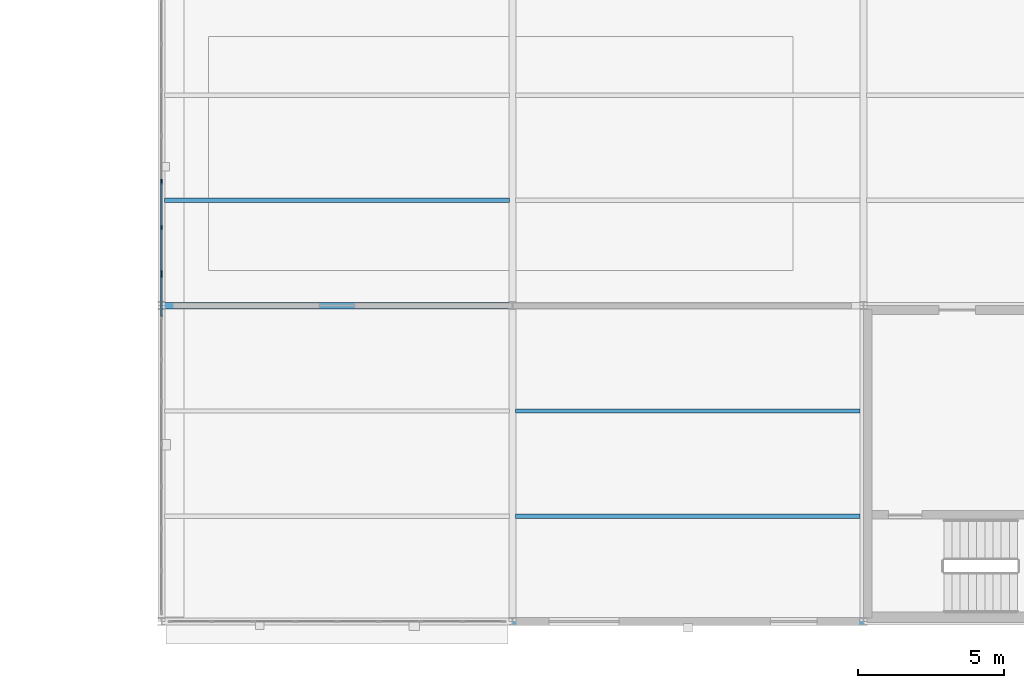
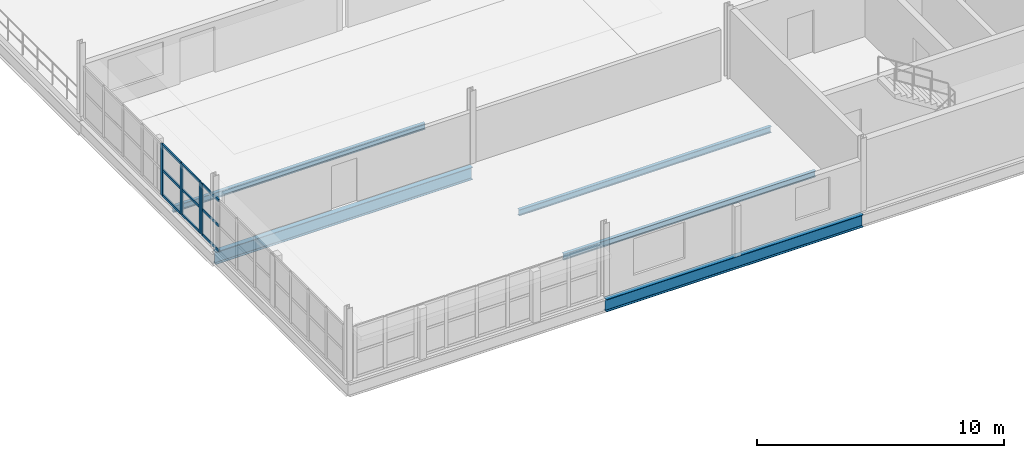
# One storey, part 33 of 74: 13 members, 5 beams, 2 elements without a shape of their own.
"""IFC4 building model written with IfcOpenShell, lengths in metres."""

from ifc_helpers import new_model, si_unit, direction, frame, origin, origin_2d, place, context, subcontext, project, spatial, rectangle, i_section, extrude, material, layer, layer_set, material_profile, profile_set, type_object, element, aggregate, save


model = new_model("IFC4")

# Units and contexts
model_context = context("Model", 3, precision=1e-05, world=origin(), true_north=direction((0.0, 1.0)))
body_context = subcontext(model_context, "Body", "Model", "MODEL_VIEW")
ifc_project = project(units=[si_unit("LENGTHUNIT", "METRE"), si_unit("AREAUNIT", "SQUARE_METRE"), si_unit("VOLUMEUNIT", "CUBIC_METRE"), si_unit("PLANEANGLEUNIT", "RADIAN"), si_unit("MASSUNIT", "GRAM", prefix="KILO"), si_unit("THERMODYNAMICTEMPERATUREUNIT", "KELVIN"), si_unit("POWERUNIT", "WATT")], contexts=[model_context])

# Site, building, storey
site_placement = place(None, origin())
site = spatial("IfcSite", under=ifc_project, at=site_placement, CompositionType="ELEMENT")
building_placement = place(site_placement, origin())
building = spatial("IfcBuilding", under=site, at=building_placement, Name="Tembeka Court Mobility Hub", CompositionType="ELEMENT")
storey_placement = place(building_placement, frame((0.0, 0.0, 12.60009765625)))
storey = spatial("IfcBuildingStorey", under=building, at=storey_placement, Name="L03", CompositionType="ELEMENT", Elevation=12.60009765625)

# Beams
ifc_material_1 = material(Name="Steel S355", Category="steel")
ifc_material_profile_1 = material_profile(ifc_material_1, i_section(OverallWidth=0.22900390625, OverallDepth=0.612060546875, WebThickness=0.011962890625, FlangeThickness=0.01953125, FilletRadius=0.0126953125, at=origin_2d()), Name="UKB 610x229x125")
ifc_profile_set_1 = profile_set([ifc_material_profile_1], Name="Steel S355")
beam_type_1 = type_object("IfcBeamType", Name="BM-G02", PredefinedType="USERDEFINED", material=ifc_profile_set_1)
for number, where, z_axis, x_axis, name in (
    (1, (140.39990234375, 0.0, -0.49609375), (1.0, 0.0, 0.0), (0.0, 1.0, 0.0), "Beam G02 (BM-L03-X1693)"),
    (2, (128.39990234375, 10.800048828125, -0.49609375), (1.0, 0.0, 0.0), (0.0, 1.0, 0.0), "Beam G02 (BM-L03-X1699)"),
):
    element("IfcBeam", number, at=place(storey_placement, frame(where, z_axis=z_axis, x_axis=x_axis)), inside=storey, type_object=beam_type_1, Name=name, ObjectType="GIRDER", PredefinedType="USERDEFINED", context=body_context, shape_type="SweptSolid", body=[
        extrude(i_section(OverallWidth=0.22900390625, OverallDepth=0.612060546875, WebThickness=0.011962890625, FlangeThickness=0.01953125, FilletRadius=0.0126953125, at=origin_2d()), origin(), (0.0, 0.0, 1.0), 12.0),
    ])
ifc_material_profile_2 = material_profile(ifc_material_1, i_section(OverallWidth=0.14990234375, OverallDepth=0.300048828125, WebThickness=0.007080078125, FlangeThickness=0.0107421875, FilletRadius=0.014892578125, at=origin_2d()), Name="IPE 300")
ifc_profile_set_2 = profile_set([ifc_material_profile_2], Name="Steel S355")
beam_type_2 = type_object("IfcBeamType", Name="BM-J04", PredefinedType="JOIST", material=ifc_profile_set_2)
for number, where, z_axis, x_axis, name in (
    (3, (128.509521484375, 14.39990234375, -0.340087890625), (1.0, 0.0, 0.0), (0.0, 1.0, 0.0), "Beam J04 (JST-L03-2144)"),
    (4, (140.509521484375, 3.60009765625, -0.340087890625), (1.0, 0.0, 0.0), (0.0, 1.0, 0.0), "Beam J04 (JST-L03-2152)"),
    (5, (140.509521484375, 7.199951171875, -0.340087890625), (1.0, 0.0, 0.0), (0.0, 1.0, 0.0), "Beam J04 (JST-L03-2153)"),
):
    element("IfcBeam", number, at=place(storey_placement, frame(where, z_axis=z_axis, x_axis=x_axis)), inside=storey, type_object=beam_type_2, Name=name, PredefinedType="JOIST", context=body_context, shape_type="SweptSolid", body=[
        extrude(i_section(OverallWidth=0.14990234375, OverallDepth=0.300048828125, WebThickness=0.007080078125, FlangeThickness=0.0107421875, FilletRadius=0.014892578125, at=origin_2d()), origin(), (0.0, 0.0, 1.0), 11.781005859375),
    ])

# Curtain wall, member
ifc_material_2 = material(Name="Anodised aluminium 6063-T6", Category="aluminium")
ifc_layer_1 = layer(ifc_material_2, 0.159912109375)
ifc_layer_set_1 = layer_set([ifc_layer_1], Name="Anodised aluminium 6063-T6")
curtain_wall_type_1 = type_object("IfcCurtainWallType", Name="CW-SYS55", PredefinedType="USERDEFINED", material=ifc_layer_set_1)
curtain_wall_1_placement = place(storey_placement, origin())
curtain_wall_1 = element("IfcCurtainWall", 6, at=curtain_wall_1_placement, inside=storey, type_object=curtain_wall_type_1, Name="Unitised curtain wall CW55 (CW-L03-142)", ObjectType="UNITISED GLAZING", PredefinedType="USERDEFINED")
ifc_material_profile_3 = material_profile(ifc_material_2, rectangle(XDim=0.06494140625, YDim=0.159912109375, at=origin_2d()), Name="ALU-MUL 65x160")
ifc_profile_set_3 = profile_set([ifc_material_profile_3], Name="Anodised aluminium 6063-T6")
member_type_1 = type_object("IfcMemberType", Name="CW-MUL01", PredefinedType="MULLION", material=ifc_profile_set_3)
member_1_placement = place(storey_placement, frame((128.39990234375, 11.827392578125, 0.0), z_axis=(0.0, 0.0, 1.0), x_axis=(-1.0, 0.0, 0.0)))
member_1 = element("IfcMember", 7, at=member_1_placement, type_object=member_type_1, Name="CW55 mullion 9", PredefinedType="MULLION", context=body_context, shape_type="SweptSolid", body=[
    extrude(rectangle(XDim=0.06494140625, YDim=0.159912109375, at=origin_2d()), origin(), (0.0, 0.0, 1.0), 2.534912109375),
])

# Curtain wall, members
ifc_layer_2 = layer(ifc_material_2, 0.159912109375)
ifc_layer_set_2 = layer_set([ifc_layer_2], Name="Anodised aluminium 6063-T6")
curtain_wall_type_2 = type_object("IfcCurtainWallType", Name="CW-SYS56", PredefinedType="USERDEFINED", material=ifc_layer_set_2)
curtain_wall_2_placement = place(storey_placement, origin())
curtain_wall_2 = element("IfcCurtainWall", 8, at=curtain_wall_2_placement, inside=storey, type_object=curtain_wall_type_2, Name="Unitised curtain wall CW56 (CW-L03-143)", ObjectType="UNITISED GLAZING", PredefinedType="USERDEFINED")
member_2_placement = place(storey_placement, frame((128.39990234375, 11.9326171875, 0.0), z_axis=(0.0, 0.0, 1.0), x_axis=(-1.0, 0.0, 0.0)))
member_2 = element("IfcMember", 9, at=member_2_placement, type_object=member_type_1, Name="CW56 mullion 1", PredefinedType="MULLION", context=body_context, shape_type="SweptSolid", body=[
    extrude(rectangle(XDim=0.06494140625, YDim=0.159912109375, at=origin_2d()), origin(), (0.0, 0.0, 1.0), 2.534912109375),
])
member_3_placement = place(storey_placement, frame((128.39990234375, 13.469970703125, 0.0), z_axis=(0.0, 0.0, 1.0), x_axis=(-1.0, 0.0, 0.0)))
member_3 = element("IfcMember", 10, at=member_3_placement, type_object=member_type_1, Name="CW56 mullion 2", PredefinedType="MULLION", context=body_context, shape_type="SweptSolid", body=[
    extrude(rectangle(XDim=0.06494140625, YDim=0.159912109375, at=origin_2d()), origin(), (0.0, 0.0, 1.0), 2.534912109375),
])
member_4_placement = place(storey_placement, frame((128.39990234375, 15.0400390625, 0.0), z_axis=(0.0, 0.0, 1.0), x_axis=(-1.0, 0.0, 0.0)))
member_4 = element("IfcMember", 11, at=member_4_placement, type_object=member_type_1, Name="CW56 mullion 3", PredefinedType="MULLION", context=body_context, shape_type="SweptSolid", body=[
    extrude(rectangle(XDim=0.06494140625, YDim=0.159912109375, at=origin_2d()), origin(), (0.0, 0.0, 1.0), 2.534912109375),
])

# Member
ifc_material_profile_4 = material_profile(ifc_material_2, rectangle(XDim=0.06494140625, YDim=0.1201171875, at=origin_2d()), Name="ALU-TRN 65x120")
ifc_profile_set_4 = profile_set([ifc_material_profile_4], Name="Anodised aluminium 6063-T6")
member_type_2 = type_object("IfcMemberType", Name="CW-TRN01", PredefinedType="USERDEFINED", material=ifc_profile_set_4)
member_5_placement = place(storey_placement, frame((128.39990234375, 10.445068359375, 0.032470703125), z_axis=(0.0, 1.0, 0.0), x_axis=(-1.0, 0.0, 0.0)))
member_5 = element("IfcMember", 12, at=member_5_placement, type_object=member_type_2, Name="CW55 transom 8.1", ObjectType="TRANSOM", PredefinedType="USERDEFINED", context=body_context, shape_type="SweptSolid", body=[
    extrude(rectangle(XDim=0.06494140625, YDim=0.1201171875, at=origin_2d()), origin(), (0.0, 0.0, 1.0), 1.349853515625),
])

member_6_placement = place(storey_placement, frame((128.39990234375, 10.445068359375, 1.267333984375), z_axis=(0.0, 1.0, 0.0), x_axis=(-1.0, 0.0, 0.0)))
member_6 = element("IfcMember", 13, at=member_6_placement, type_object=member_type_2, Name="CW55 transom 8.2", ObjectType="TRANSOM", PredefinedType="USERDEFINED", context=body_context, shape_type="SweptSolid", body=[
    extrude(rectangle(XDim=0.06494140625, YDim=0.1201171875, at=origin_2d()), origin(), (0.0, 0.0, 1.0), 1.349853515625),
])

member_7_placement = place(storey_placement, frame((128.39990234375, 10.445068359375, 2.50244140625), z_axis=(0.0, 1.0, 0.0), x_axis=(-1.0, 0.0, 0.0)))
member_7 = element("IfcMember", 14, at=member_7_placement, type_object=member_type_2, Name="CW55 transom 8.3", ObjectType="TRANSOM", PredefinedType="USERDEFINED", context=body_context, shape_type="SweptSolid", body=[
    extrude(rectangle(XDim=0.06494140625, YDim=0.1201171875, at=origin_2d()), origin(), (0.0, 0.0, 1.0), 1.349853515625),
])

aggregate(curtain_wall_1, [member_1, member_5, member_6, member_7])

member_8_placement = place(storey_placement, frame((128.39990234375, 11.965087890625, 0.032470703125), z_axis=(0.0, 1.0, 0.0), x_axis=(-1.0, 0.0, 0.0)))
member_8 = element("IfcMember", 15, at=member_8_placement, type_object=member_type_2, Name="CW56 transom 1.1", ObjectType="TRANSOM", PredefinedType="USERDEFINED", context=body_context, shape_type="SweptSolid", body=[
    extrude(rectangle(XDim=0.06494140625, YDim=0.1201171875, at=origin_2d()), origin(), (0.0, 0.0, 1.0), 1.472412109375),
])

member_9_placement = place(storey_placement, frame((128.39990234375, 11.965087890625, 1.267333984375), z_axis=(0.0, 1.0, 0.0), x_axis=(-1.0, 0.0, 0.0)))
member_9 = element("IfcMember", 16, at=member_9_placement, type_object=member_type_2, Name="CW56 transom 1.2", ObjectType="TRANSOM", PredefinedType="USERDEFINED", context=body_context, shape_type="SweptSolid", body=[
    extrude(rectangle(XDim=0.06494140625, YDim=0.1201171875, at=origin_2d()), origin(), (0.0, 0.0, 1.0), 1.472412109375),
])

member_10_placement = place(storey_placement, frame((128.39990234375, 11.965087890625, 2.50244140625), z_axis=(0.0, 1.0, 0.0), x_axis=(-1.0, 0.0, 0.0)))
member_10 = element("IfcMember", 17, at=member_10_placement, type_object=member_type_2, Name="CW56 transom 1.3", ObjectType="TRANSOM", PredefinedType="USERDEFINED", context=body_context, shape_type="SweptSolid", body=[
    extrude(rectangle(XDim=0.06494140625, YDim=0.1201171875, at=origin_2d()), origin(), (0.0, 0.0, 1.0), 1.472412109375),
])

member_11_placement = place(storey_placement, frame((128.39990234375, 13.50244140625, 0.032470703125), z_axis=(0.0, 1.0, 0.0), x_axis=(-1.0, 0.0, 0.0)))
member_11 = element("IfcMember", 18, at=member_11_placement, type_object=member_type_2, Name="CW56 transom 2.1", ObjectType="TRANSOM", PredefinedType="USERDEFINED", context=body_context, shape_type="SweptSolid", body=[
    extrude(rectangle(XDim=0.06494140625, YDim=0.1201171875, at=origin_2d()), origin(), (0.0, 0.0, 1.0), 1.505126953125),
])

member_12_placement = place(storey_placement, frame((128.39990234375, 13.50244140625, 1.267333984375), z_axis=(0.0, 1.0, 0.0), x_axis=(-1.0, 0.0, 0.0)))
member_12 = element("IfcMember", 19, at=member_12_placement, type_object=member_type_2, Name="CW56 transom 2.2", ObjectType="TRANSOM", PredefinedType="USERDEFINED", context=body_context, shape_type="SweptSolid", body=[
    extrude(rectangle(XDim=0.06494140625, YDim=0.1201171875, at=origin_2d()), origin(), (0.0, 0.0, 1.0), 1.505126953125),
])

member_13_placement = place(storey_placement, frame((128.39990234375, 13.50244140625, 2.50244140625), z_axis=(0.0, 1.0, 0.0), x_axis=(-1.0, 0.0, 0.0)))
member_13 = element("IfcMember", 20, at=member_13_placement, type_object=member_type_2, Name="CW56 transom 2.3", ObjectType="TRANSOM", PredefinedType="USERDEFINED", context=body_context, shape_type="SweptSolid", body=[
    extrude(rectangle(XDim=0.06494140625, YDim=0.1201171875, at=origin_2d()), origin(), (0.0, 0.0, 1.0), 1.505126953125),
])

aggregate(curtain_wall_2, [member_2, member_3, member_4, member_8, member_9, member_10, member_11, member_12, member_13])

save(model, "model.ifc")
